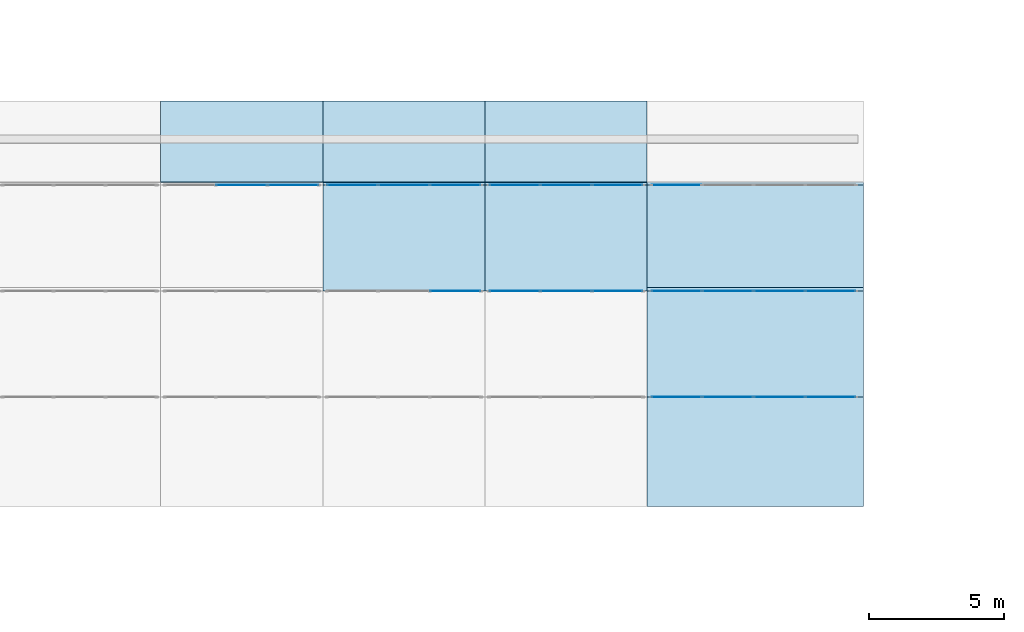
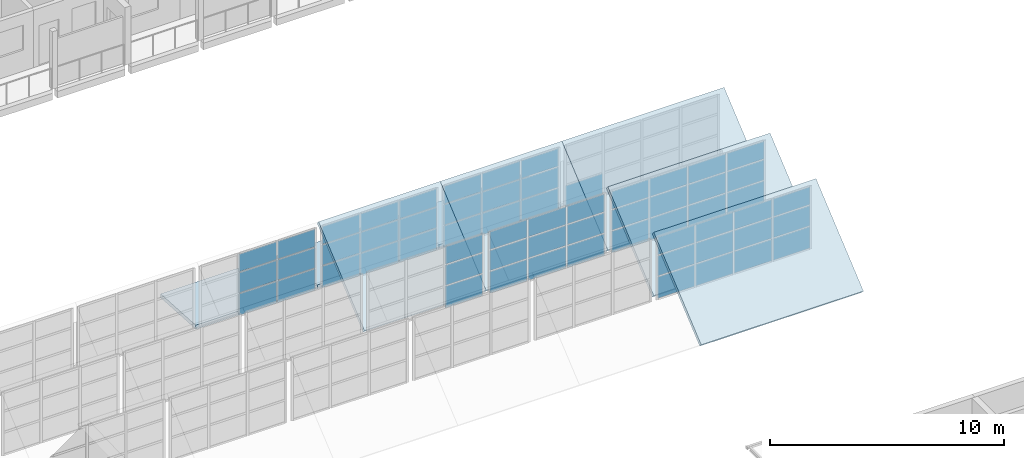
# One storey, part 50 of 122: 61 plates, 8 slabs, 8 elements without a shape of their own.
"""IFC4 building model written with IfcOpenShell, lengths in metres."""

import ifcopenshell
import ifcopenshell.guid

model = None  # the IFC model being written
_history = None  # IfcOwnerHistory: only IFC2X3 demands one
_inside = {}  # id of a spatial element -> (the spatial element, [elements in it])
_under = {}  # id of a project, library or spatial element -> (it, [spatial elements below it])
_declared = {}  # id of a project -> (the project, [libraries it declares])
_typed = {}  # id of a type object -> (the type object, [elements of that type])
_made_of = {}  # id of a material, layer set ... -> (it, [elements and type objects made of it])


def new_model(schema):
    """Start an empty IFC model of exactly this schema.

    Asked for "IFC4X3", IfcOpenShell would pick the latest addendum, in which some entities
    have other attributes; the version numbers below select the first issue.
    IFC2X3 requires an IfcOwnerHistory on every rooted entity: one is made here for all.
    """
    global model, _history
    if schema == "IFC4X3":
        model = ifcopenshell.file(schema_version=(4, 3, 0, 0))
    else:
        model = ifcopenshell.file(schema=schema)
    _inside.clear()
    _under.clear()
    _declared.clear()
    _typed.clear()
    _made_of.clear()
    _history = None
    if model.schema == "IFC2X3":
        org = make("IfcOrganization", Name="unknown")
        user = make(
            "IfcPersonAndOrganization",
            ThePerson=make("IfcPerson", FamilyName="unknown"),
            TheOrganization=org,
        )
        app = make(
            "IfcApplication",
            ApplicationDeveloper=org,
            Version="unknown",
            ApplicationFullName="unknown",
            ApplicationIdentifier="unknown",
        )
        _history = make(
            "IfcOwnerHistory",
            OwningUser=user,
            OwningApplication=app,
            ChangeAction="ADDED",
            CreationDate=0,
        )
    return model


def make(cls, **values):
    """One entity of the class cls with the attributes given. An attribute that is None is left unset."""
    return model.create_entity(
        cls, **{name: value for name, value in values.items() if value is not None}
    )


def rooted(cls, **values):
    """An entity with a GlobalId (a new one), such as an element, a storey or a relation."""
    return make(cls, GlobalId=ifcopenshell.guid.new(), OwnerHistory=_history, **values)


def si_unit(unit_type, name, prefix=None):
    """IfcSIUnit, for example si_unit("LENGTHUNIT", "METRE", prefix="MILLI")."""
    return make("IfcSIUnit", UnitType=unit_type, Prefix=prefix, Name=name)


def assignment(units):
    """IfcUnitAssignment: the units of a project."""
    return None if units is None else make("IfcUnitAssignment", Units=units)


def point(xyz):
    """IfcCartesianPoint."""
    return None if xyz is None else make("IfcCartesianPoint", Coordinates=xyz)


def direction(xyz):
    """IfcDirection."""
    return None if xyz is None else make("IfcDirection", DirectionRatios=xyz)


def frame(location, z_axis=None, x_axis=None):
    """IfcAxis2Placement3D, a coordinate frame: its origin and axes. An axis left out is left unset."""
    return make(
        "IfcAxis2Placement3D",
        Location=point(location),
        Axis=direction(z_axis),
        RefDirection=direction(x_axis),
    )


def frame_2d(location, x_axis=None):
    """IfcAxis2Placement2D, a coordinate frame in the plane: its origin and x axis."""
    return make(
        "IfcAxis2Placement2D", Location=point(location), RefDirection=direction(x_axis)
    )


def origin():
    """The frame at (0, 0, 0) with its axes left unset."""
    return frame((0.0, 0.0, 0.0))


def origin_2d():
    """The frame at (0, 0) in the plane with its x axis left unset."""
    return frame_2d((0.0, 0.0))


def place(relative_to, where):
    """IfcLocalPlacement: puts the frame where relative to a parent placement (None: the world)."""
    return make(
        "IfcLocalPlacement", PlacementRelTo=relative_to, RelativePlacement=where
    )


def context(
    kind, dimensions, precision=None, world=None, true_north=None, identifier=None
):
    """IfcGeometricRepresentationContext, for example the 3D "Model" context."""
    return make(
        "IfcGeometricRepresentationContext",
        ContextIdentifier=identifier,
        ContextType=kind,
        CoordinateSpaceDimension=dimensions,
        Precision=precision,
        WorldCoordinateSystem=world,
        TrueNorth=true_north,
    )


def subcontext(parent, identifier, kind, view, scale=None):
    """IfcGeometricRepresentationSubContext, for example "Body" below "Model"."""
    return make(
        "IfcGeometricRepresentationSubContext",
        ContextIdentifier=identifier,
        ContextType=kind,
        ParentContext=parent,
        TargetScale=scale,
        TargetView=view,
    )


def project(units=None, contexts=None):
    """IfcProject with its units and contexts."""
    return rooted(
        "IfcProject",
        Name="project",
        RepresentationContexts=contexts,
        UnitsInContext=assignment(units),
    )


def spatial(cls, under=None, at=None, **own):
    """A site, building, storey or space (cls), placed at a placement, below another one or the project."""
    s = rooted(cls, ObjectPlacement=at, **own)
    if under is not None:
        _under.setdefault(under.id(), (under, []))[1].append(s)
    return s


def polyline(points):
    """IfcPolyline through the points."""
    return make("IfcPolyline", Points=[point(p) for p in points])


def profile(cls, at=None, kind="AREA", **sizes):
    """A parametric profile (cls). Its sizes go by their IFC names, for example OverallWidth=200.0."""
    return make(cls, ProfileType=kind, Position=at, **sizes)


def rectangle(**sizes):
    """IfcRectangleProfileDef."""
    return profile("IfcRectangleProfileDef", **sizes)


def outline(outer, holes=None, kind="AREA"):
    """IfcArbitraryClosedProfileDef: a profile drawn as a closed curve; with holes, ...WithVoids."""
    if holes is None:
        return make("IfcArbitraryClosedProfileDef", ProfileType=kind, OuterCurve=outer)
    return make(
        "IfcArbitraryProfileDefWithVoids",
        ProfileType=kind,
        OuterCurve=outer,
        InnerCurves=holes,
    )


def extrude(swept, where, along, depth):
    """IfcExtrudedAreaSolid: the profile swept, set in the frame where, extruded along a direction by depth."""
    return make(
        "IfcExtrudedAreaSolid",
        SweptArea=swept,
        Position=where,
        ExtrudedDirection=direction(along),
        Depth=depth,
    )


def shape(context_of_items, identifier, shape_type, items):
    """IfcShapeRepresentation: the items that make up one representation, for example the "Body"."""
    return make(
        "IfcShapeRepresentation",
        ContextOfItems=context_of_items,
        RepresentationIdentifier=identifier,
        RepresentationType=shape_type,
        Items=items,
    )


def material(Name=None, Category=None):
    """IfcMaterial."""
    return make("IfcMaterial", Name=Name, Category=Category)


def layer(
    of_material, thickness, ventilated=None, Name=None, Category=None, Priority=None
):
    """IfcMaterialLayer: one layer of a wall or slab, of a material (None: an air gap)."""
    return make(
        "IfcMaterialLayer",
        Material=of_material,
        LayerThickness=thickness,
        IsVentilated=ventilated,
        Name=Name,
        Category=Category,
        Priority=Priority,
    )


def layer_set(layers, Name=None):
    """IfcMaterialLayerSet."""
    return make("IfcMaterialLayerSet", MaterialLayers=layers, LayerSetName=Name)


def made_of(thing, what):
    """Note that an element or type object is made of a material, layer set ...; save() writes the relation."""
    if what is not None:
        _made_of.setdefault(what.id(), (what, []))[1].append(thing)
    return thing


def type_object(cls, material=None, **own):
    """A type object (cls), such as IfcWallType, which elements share."""
    return made_of(rooted(cls, **own), material)


def element(
    cls,
    number,
    at=None,
    inside=None,
    cuts=None,
    type_object=None,
    material=None,
    context=None,
    identifier="Body",
    shape_type=None,
    held_by="IfcProductDefinitionShape",
    body=None,
    shapes=None,
    **own,
):
    """One element of the class cls, such as IfcWall. Its Tag is "e" and its number.

    at: its placement. inside: the storey or other place that contains it. cuts: it is an
    opening in that element (IfcRelVoidsElement). A single representation is given by context,
    identifier, shape_type and body (its items); several are given by shapes. held_by: the class
    of the entity that holds the representations. save() writes the other relations.
    """
    e = rooted(cls, Tag="e%d" % number, ObjectPlacement=at, **own)
    if body is not None:
        shapes = [shape(context, identifier, shape_type, body)]
    if shapes is not None:
        e.Representation = make(held_by, Representations=shapes)
    if inside is not None:
        _inside.setdefault(inside.id(), (inside, []))[1].append(e)
    if cuts is not None:
        rooted(
            "IfcRelVoidsElement", RelatingBuildingElement=cuts, RelatedOpeningElement=e
        )
    if type_object is not None:
        _typed.setdefault(type_object.id(), (type_object, []))[1].append(e)
    return made_of(e, material)


def aggregate(whole, parts):
    """IfcRelAggregates: a whole, such as a stair, and the parts it consists of."""
    return rooted("IfcRelAggregates", RelatingObject=whole, RelatedObjects=parts)


def save(model, path):
    """Write the relations noted so far, then the file.

    IfcRelAggregates (storeys below a building ...), IfcRelContainedInSpatialStructure (elements
    in a storey), IfcRelDefinesByType, IfcRelAssociatesMaterial and IfcRelDeclares: one each for
    every whole, place, type object, material and project.
    """
    for whole, parts in _under.values():
        aggregate(whole, parts)
    for where, things in _inside.values():
        rooted(
            "IfcRelContainedInSpatialStructure",
            RelatedElements=things,
            RelatingStructure=where,
        )
    for kind, things in _typed.values():
        rooted("IfcRelDefinesByType", RelatedObjects=things, RelatingType=kind)
    for what, things in _made_of.values():
        rooted("IfcRelAssociatesMaterial", RelatedObjects=things, RelatingMaterial=what)
    for by, libraries in _declared.values():
        rooted("IfcRelDeclares", RelatingContext=by, RelatedDefinitions=libraries)
    model.write(path)


model = new_model("IFC4")

# Units and contexts
model_context = context("Model", 3, precision=1e-05, world=origin(), true_north=direction((0.0, 1.0)))
body_context = subcontext(model_context, "Body", "Model", "MODEL_VIEW")
ifc_project = project(units=[si_unit("LENGTHUNIT", "METRE"), si_unit("AREAUNIT", "SQUARE_METRE"), si_unit("VOLUMEUNIT", "CUBIC_METRE"), si_unit("PLANEANGLEUNIT", "RADIAN"), si_unit("MASSUNIT", "GRAM", prefix="KILO")], contexts=[model_context])

# Site, building, storey
site_placement = place(None, origin())
site = spatial("IfcSite", under=ifc_project, at=site_placement, CompositionType="ELEMENT")
building_placement = place(site_placement, origin())
building = spatial("IfcBuilding", under=site, at=building_placement, Name="Ridgestep Commons", CompositionType="ELEMENT")
storey_placement = place(building_placement, frame((0.0, 0.0, 3.0)))
storey = spatial("IfcBuildingStorey", under=building, at=storey_placement, Name="L01", CompositionType="ELEMENT", Elevation=3.0)

# Curtain wall, plates
ifc_material_1 = material(Name="Aluminium and glass", Category="aluminium")
ifc_layer_1 = layer(ifc_material_1, 0.14990234375)
ifc_layer_set_1 = layer_set([ifc_layer_1], Name="Shop clerestory curtain wall")
curtain_wall_type = type_object("IfcCurtainWallType", Name="Shop clerestory curtain wall", PredefinedType="NOTDEFINED", material=ifc_layer_set_1)
curtain_wall_1_placement = place(storey_placement, origin())
curtain_wall_1 = element("IfcCurtainWall", 1, at=curtain_wall_1_placement, inside=storey, type_object=curtain_wall_type, Name="Shop clerestory curtain wall", PredefinedType="NOTDEFINED")
ifc_material_2 = material(Name="Glass", Category="glass")
ifc_layer_2 = layer(ifc_material_2, 0.011962890625)
ifc_layer_set_2 = layer_set([ifc_layer_2], Name="Community glass panel 12")
plate_type = type_object("IfcPlateType", Name="Community glass panel 12", PredefinedType="CURTAIN_PANEL", material=ifc_layer_set_2)
plate_1_placement = place(storey_placement, frame((208.800048828125, 45.89990234375, 1.25), z_axis=(0.0, 0.0, 1.0), x_axis=(1.0, 0.0, 0.0)))
plate_1 = element("IfcPlate", 2, at=plate_1_placement, type_object=plate_type, Name="CW5 panel 2.1", PredefinedType="CURTAIN_PANEL", context=body_context, shape_type="SweptSolid", body=[
    extrude(rectangle(XDim=1.86669921875, YDim=0.011962890625, at=origin_2d()), origin(), (0.0, 0.0, 1.0), 1.125),
])
plate_2_placement = place(storey_placement, frame((208.800048828125, 45.89990234375, 2.4248046875), z_axis=(0.0, 0.0, 1.0), x_axis=(1.0, 0.0, 0.0)))
plate_2 = element("IfcPlate", 3, at=plate_2_placement, type_object=plate_type, Name="CW5 panel 2.2", PredefinedType="CURTAIN_PANEL", context=body_context, shape_type="SweptSolid", body=[
    extrude(rectangle(XDim=1.86669921875, YDim=0.011962890625, at=origin_2d()), origin(), (0.0, 0.0, 1.0), 1.050048828125),
])
plate_3_placement = place(storey_placement, frame((208.800048828125, 45.89990234375, 3.52490234375), z_axis=(0.0, 0.0, 1.0), x_axis=(1.0, 0.0, 0.0)))
plate_3 = element("IfcPlate", 4, at=plate_3_placement, type_object=plate_type, Name="CW5 panel 2.3", PredefinedType="CURTAIN_PANEL", context=body_context, shape_type="SweptSolid", body=[
    extrude(rectangle(XDim=1.86669921875, YDim=0.011962890625, at=origin_2d()), origin(), (0.0, 0.0, 1.0), 0.925048828125),
])
plate_4_placement = place(storey_placement, frame((210.7041015625, 45.89990234375, 1.25), z_axis=(0.0, 0.0, 1.0), x_axis=(1.0, 0.0, 0.0)))
plate_4 = element("IfcPlate", 5, at=plate_4_placement, type_object=plate_type, Name="CW5 panel 3.1", PredefinedType="CURTAIN_PANEL", context=body_context, shape_type="SweptSolid", body=[
    extrude(rectangle(XDim=1.841552734375, YDim=0.011962890625, at=origin_2d()), origin(), (0.0, 0.0, 1.0), 1.125),
])
plate_5_placement = place(storey_placement, frame((210.7041015625, 45.89990234375, 2.4248046875), z_axis=(0.0, 0.0, 1.0), x_axis=(1.0, 0.0, 0.0)))
plate_5 = element("IfcPlate", 6, at=plate_5_placement, type_object=plate_type, Name="CW5 panel 3.2", PredefinedType="CURTAIN_PANEL", context=body_context, shape_type="SweptSolid", body=[
    extrude(rectangle(XDim=1.841552734375, YDim=0.011962890625, at=origin_2d()), origin(), (0.0, 0.0, 1.0), 1.050048828125),
])
plate_6_placement = place(storey_placement, frame((210.7041015625, 45.89990234375, 3.52490234375), z_axis=(0.0, 0.0, 1.0), x_axis=(1.0, 0.0, 0.0)))
plate_6 = element("IfcPlate", 7, at=plate_6_placement, type_object=plate_type, Name="CW5 panel 3.3", PredefinedType="CURTAIN_PANEL", context=body_context, shape_type="SweptSolid", body=[
    extrude(rectangle(XDim=1.841552734375, YDim=0.011962890625, at=origin_2d()), origin(), (0.0, 0.0, 1.0), 0.925048828125),
])
aggregate(curtain_wall_1, [plate_1, plate_2, plate_3, plate_4, plate_5, plate_6])

curtain_wall_2_placement = place(storey_placement, origin())
curtain_wall_2 = element("IfcCurtainWall", 8, at=curtain_wall_2_placement, inside=storey, type_object=curtain_wall_type, Name="Shop clerestory curtain wall", PredefinedType="NOTDEFINED")
plate_7_placement = place(storey_placement, frame((216.7041015625, 41.97509765625, 1.25), z_axis=(0.0, 0.0, 1.0), x_axis=(1.0, 0.0, 0.0)))
plate_7 = element("IfcPlate", 9, at=plate_7_placement, type_object=plate_type, Name="CW5 panel 3.1", PredefinedType="CURTAIN_PANEL", context=body_context, shape_type="SweptSolid", body=[
    extrude(rectangle(XDim=1.841552734375, YDim=0.011962890625, at=origin_2d()), origin(), (0.0, 0.0, 1.0), 1.125),
])
plate_8_placement = place(storey_placement, frame((216.7041015625, 41.97509765625, 2.4248046875), z_axis=(0.0, 0.0, 1.0), x_axis=(1.0, 0.0, 0.0)))
plate_8 = element("IfcPlate", 10, at=plate_8_placement, type_object=plate_type, Name="CW5 panel 3.2", PredefinedType="CURTAIN_PANEL", context=body_context, shape_type="SweptSolid", body=[
    extrude(rectangle(XDim=1.841552734375, YDim=0.011962890625, at=origin_2d()), origin(), (0.0, 0.0, 1.0), 1.050048828125),
])
plate_9_placement = place(storey_placement, frame((216.7041015625, 41.97509765625, 3.52490234375), z_axis=(0.0, 0.0, 1.0), x_axis=(1.0, 0.0, 0.0)))
plate_9 = element("IfcPlate", 11, at=plate_9_placement, type_object=plate_type, Name="CW5 panel 3.3", PredefinedType="CURTAIN_PANEL", context=body_context, shape_type="SweptSolid", body=[
    extrude(rectangle(XDim=1.841552734375, YDim=0.011962890625, at=origin_2d()), origin(), (0.0, 0.0, 1.0), 0.925048828125),
])
aggregate(curtain_wall_2, [plate_7, plate_8, plate_9])

curtain_wall_3_placement = place(storey_placement, origin())
curtain_wall_3 = element("IfcCurtainWall", 12, at=curtain_wall_3_placement, inside=storey, type_object=curtain_wall_type, Name="Shop clerestory curtain wall", PredefinedType="NOTDEFINED")
plate_10_placement = place(storey_placement, frame((212.895751953125, 45.89990234375, 1.25), z_axis=(0.0, 0.0, 1.0), x_axis=(1.0, 0.0, 0.0)))
plate_10 = element("IfcPlate", 13, at=plate_10_placement, type_object=plate_type, Name="CW5 panel 1.1", PredefinedType="CURTAIN_PANEL", context=body_context, shape_type="SweptSolid", body=[
    extrude(rectangle(XDim=1.841552734375, YDim=0.011962890625, at=origin_2d()), origin(), (0.0, 0.0, 1.0), 1.125),
])
plate_11_placement = place(storey_placement, frame((212.895751953125, 45.89990234375, 2.4248046875), z_axis=(0.0, 0.0, 1.0), x_axis=(1.0, 0.0, 0.0)))
plate_11 = element("IfcPlate", 14, at=plate_11_placement, type_object=plate_type, Name="CW5 panel 1.2", PredefinedType="CURTAIN_PANEL", context=body_context, shape_type="SweptSolid", body=[
    extrude(rectangle(XDim=1.841552734375, YDim=0.011962890625, at=origin_2d()), origin(), (0.0, 0.0, 1.0), 1.050048828125),
])
plate_12_placement = place(storey_placement, frame((212.895751953125, 45.89990234375, 3.52490234375), z_axis=(0.0, 0.0, 1.0), x_axis=(1.0, 0.0, 0.0)))
plate_12 = element("IfcPlate", 15, at=plate_12_placement, type_object=plate_type, Name="CW5 panel 1.3", PredefinedType="CURTAIN_PANEL", context=body_context, shape_type="SweptSolid", body=[
    extrude(rectangle(XDim=1.841552734375, YDim=0.011962890625, at=origin_2d()), origin(), (0.0, 0.0, 1.0), 0.925048828125),
])
plate_13_placement = place(storey_placement, frame((214.800048828125, 45.89990234375, 1.25), z_axis=(0.0, 0.0, 1.0), x_axis=(1.0, 0.0, 0.0)))
plate_13 = element("IfcPlate", 16, at=plate_13_placement, type_object=plate_type, Name="CW5 panel 2.1", PredefinedType="CURTAIN_PANEL", context=body_context, shape_type="SweptSolid", body=[
    extrude(rectangle(XDim=1.86669921875, YDim=0.011962890625, at=origin_2d()), origin(), (0.0, 0.0, 1.0), 1.125),
])
plate_14_placement = place(storey_placement, frame((214.800048828125, 45.89990234375, 2.4248046875), z_axis=(0.0, 0.0, 1.0), x_axis=(1.0, 0.0, 0.0)))
plate_14 = element("IfcPlate", 17, at=plate_14_placement, type_object=plate_type, Name="CW5 panel 2.2", PredefinedType="CURTAIN_PANEL", context=body_context, shape_type="SweptSolid", body=[
    extrude(rectangle(XDim=1.86669921875, YDim=0.011962890625, at=origin_2d()), origin(), (0.0, 0.0, 1.0), 1.050048828125),
])
plate_15_placement = place(storey_placement, frame((214.800048828125, 45.89990234375, 3.52490234375), z_axis=(0.0, 0.0, 1.0), x_axis=(1.0, 0.0, 0.0)))
plate_15 = element("IfcPlate", 18, at=plate_15_placement, type_object=plate_type, Name="CW5 panel 2.3", PredefinedType="CURTAIN_PANEL", context=body_context, shape_type="SweptSolid", body=[
    extrude(rectangle(XDim=1.86669921875, YDim=0.011962890625, at=origin_2d()), origin(), (0.0, 0.0, 1.0), 0.925048828125),
])
plate_16_placement = place(storey_placement, frame((216.7041015625, 45.89990234375, 1.25), z_axis=(0.0, 0.0, 1.0), x_axis=(1.0, 0.0, 0.0)))
plate_16 = element("IfcPlate", 19, at=plate_16_placement, type_object=plate_type, Name="CW5 panel 3.1", PredefinedType="CURTAIN_PANEL", context=body_context, shape_type="SweptSolid", body=[
    extrude(rectangle(XDim=1.841552734375, YDim=0.011962890625, at=origin_2d()), origin(), (0.0, 0.0, 1.0), 1.125),
])
plate_17_placement = place(storey_placement, frame((216.7041015625, 45.89990234375, 2.4248046875), z_axis=(0.0, 0.0, 1.0), x_axis=(1.0, 0.0, 0.0)))
plate_17 = element("IfcPlate", 20, at=plate_17_placement, type_object=plate_type, Name="CW5 panel 3.2", PredefinedType="CURTAIN_PANEL", context=body_context, shape_type="SweptSolid", body=[
    extrude(rectangle(XDim=1.841552734375, YDim=0.011962890625, at=origin_2d()), origin(), (0.0, 0.0, 1.0), 1.050048828125),
])
plate_18_placement = place(storey_placement, frame((216.7041015625, 45.89990234375, 3.52490234375), z_axis=(0.0, 0.0, 1.0), x_axis=(1.0, 0.0, 0.0)))
plate_18 = element("IfcPlate", 21, at=plate_18_placement, type_object=plate_type, Name="CW5 panel 3.3", PredefinedType="CURTAIN_PANEL", context=body_context, shape_type="SweptSolid", body=[
    extrude(rectangle(XDim=1.841552734375, YDim=0.011962890625, at=origin_2d()), origin(), (0.0, 0.0, 1.0), 0.925048828125),
])
aggregate(curtain_wall_3, [plate_10, plate_11, plate_12, plate_13, plate_14, plate_15, plate_16, plate_17, plate_18])

curtain_wall_4_placement = place(storey_placement, origin())
curtain_wall_4 = element("IfcCurtainWall", 22, at=curtain_wall_4_placement, inside=storey, type_object=curtain_wall_type, Name="Shop clerestory curtain wall", PredefinedType="NOTDEFINED")
plate_19_placement = place(storey_placement, frame((218.895751953125, 41.97509765625, 1.25), z_axis=(0.0, 0.0, 1.0), x_axis=(1.0, 0.0, 0.0)))
plate_19 = element("IfcPlate", 23, at=plate_19_placement, type_object=plate_type, Name="CW5 panel 1.1", PredefinedType="CURTAIN_PANEL", context=body_context, shape_type="SweptSolid", body=[
    extrude(rectangle(XDim=1.841552734375, YDim=0.011962890625, at=origin_2d()), origin(), (0.0, 0.0, 1.0), 1.125),
])
plate_20_placement = place(storey_placement, frame((218.895751953125, 41.97509765625, 2.4248046875), z_axis=(0.0, 0.0, 1.0), x_axis=(1.0, 0.0, 0.0)))
plate_20 = element("IfcPlate", 24, at=plate_20_placement, type_object=plate_type, Name="CW5 panel 1.2", PredefinedType="CURTAIN_PANEL", context=body_context, shape_type="SweptSolid", body=[
    extrude(rectangle(XDim=1.841552734375, YDim=0.011962890625, at=origin_2d()), origin(), (0.0, 0.0, 1.0), 1.050048828125),
])
plate_21_placement = place(storey_placement, frame((218.895751953125, 41.97509765625, 3.52490234375), z_axis=(0.0, 0.0, 1.0), x_axis=(1.0, 0.0, 0.0)))
plate_21 = element("IfcPlate", 25, at=plate_21_placement, type_object=plate_type, Name="CW5 panel 1.3", PredefinedType="CURTAIN_PANEL", context=body_context, shape_type="SweptSolid", body=[
    extrude(rectangle(XDim=1.841552734375, YDim=0.011962890625, at=origin_2d()), origin(), (0.0, 0.0, 1.0), 0.925048828125),
])
plate_22_placement = place(storey_placement, frame((220.800048828125, 41.97509765625, 1.25), z_axis=(0.0, 0.0, 1.0), x_axis=(1.0, 0.0, 0.0)))
plate_22 = element("IfcPlate", 26, at=plate_22_placement, type_object=plate_type, Name="CW5 panel 2.1", PredefinedType="CURTAIN_PANEL", context=body_context, shape_type="SweptSolid", body=[
    extrude(rectangle(XDim=1.86669921875, YDim=0.011962890625, at=origin_2d()), origin(), (0.0, 0.0, 1.0), 1.125),
])
plate_23_placement = place(storey_placement, frame((220.800048828125, 41.97509765625, 2.4248046875), z_axis=(0.0, 0.0, 1.0), x_axis=(1.0, 0.0, 0.0)))
plate_23 = element("IfcPlate", 27, at=plate_23_placement, type_object=plate_type, Name="CW5 panel 2.2", PredefinedType="CURTAIN_PANEL", context=body_context, shape_type="SweptSolid", body=[
    extrude(rectangle(XDim=1.86669921875, YDim=0.011962890625, at=origin_2d()), origin(), (0.0, 0.0, 1.0), 1.050048828125),
])
plate_24_placement = place(storey_placement, frame((220.800048828125, 41.97509765625, 3.52490234375), z_axis=(0.0, 0.0, 1.0), x_axis=(1.0, 0.0, 0.0)))
plate_24 = element("IfcPlate", 28, at=plate_24_placement, type_object=plate_type, Name="CW5 panel 2.3", PredefinedType="CURTAIN_PANEL", context=body_context, shape_type="SweptSolid", body=[
    extrude(rectangle(XDim=1.86669921875, YDim=0.011962890625, at=origin_2d()), origin(), (0.0, 0.0, 1.0), 0.925048828125),
])
plate_25_placement = place(storey_placement, frame((222.7041015625, 41.97509765625, 1.25), z_axis=(0.0, 0.0, 1.0), x_axis=(1.0, 0.0, 0.0)))
plate_25 = element("IfcPlate", 29, at=plate_25_placement, type_object=plate_type, Name="CW5 panel 3.1", PredefinedType="CURTAIN_PANEL", context=body_context, shape_type="SweptSolid", body=[
    extrude(rectangle(XDim=1.841552734375, YDim=0.011962890625, at=origin_2d()), origin(), (0.0, 0.0, 1.0), 1.125),
])
plate_26_placement = place(storey_placement, frame((222.7041015625, 41.97509765625, 2.4248046875), z_axis=(0.0, 0.0, 1.0), x_axis=(1.0, 0.0, 0.0)))
plate_26 = element("IfcPlate", 30, at=plate_26_placement, type_object=plate_type, Name="CW5 panel 3.2", PredefinedType="CURTAIN_PANEL", context=body_context, shape_type="SweptSolid", body=[
    extrude(rectangle(XDim=1.841552734375, YDim=0.011962890625, at=origin_2d()), origin(), (0.0, 0.0, 1.0), 1.050048828125),
])
plate_27_placement = place(storey_placement, frame((222.7041015625, 41.97509765625, 3.52490234375), z_axis=(0.0, 0.0, 1.0), x_axis=(1.0, 0.0, 0.0)))
plate_27 = element("IfcPlate", 31, at=plate_27_placement, type_object=plate_type, Name="CW5 panel 3.3", PredefinedType="CURTAIN_PANEL", context=body_context, shape_type="SweptSolid", body=[
    extrude(rectangle(XDim=1.841552734375, YDim=0.011962890625, at=origin_2d()), origin(), (0.0, 0.0, 1.0), 0.925048828125),
])
aggregate(curtain_wall_4, [plate_19, plate_20, plate_21, plate_22, plate_23, plate_24, plate_25, plate_26, plate_27])

curtain_wall_5_placement = place(storey_placement, origin())
curtain_wall_5 = element("IfcCurtainWall", 32, at=curtain_wall_5_placement, inside=storey, type_object=curtain_wall_type, Name="Shop clerestory curtain wall", PredefinedType="NOTDEFINED")
plate_28_placement = place(storey_placement, frame((218.895751953125, 45.89990234375, 1.25), z_axis=(0.0, 0.0, 1.0), x_axis=(1.0, 0.0, 0.0)))
plate_28 = element("IfcPlate", 33, at=plate_28_placement, type_object=plate_type, Name="CW5 panel 1.1", PredefinedType="CURTAIN_PANEL", context=body_context, shape_type="SweptSolid", body=[
    extrude(rectangle(XDim=1.841552734375, YDim=0.011962890625, at=origin_2d()), origin(), (0.0, 0.0, 1.0), 1.125),
])
plate_29_placement = place(storey_placement, frame((218.895751953125, 45.89990234375, 2.4248046875), z_axis=(0.0, 0.0, 1.0), x_axis=(1.0, 0.0, 0.0)))
plate_29 = element("IfcPlate", 34, at=plate_29_placement, type_object=plate_type, Name="CW5 panel 1.2", PredefinedType="CURTAIN_PANEL", context=body_context, shape_type="SweptSolid", body=[
    extrude(rectangle(XDim=1.841552734375, YDim=0.011962890625, at=origin_2d()), origin(), (0.0, 0.0, 1.0), 1.050048828125),
])
plate_30_placement = place(storey_placement, frame((218.895751953125, 45.89990234375, 3.52490234375), z_axis=(0.0, 0.0, 1.0), x_axis=(1.0, 0.0, 0.0)))
plate_30 = element("IfcPlate", 35, at=plate_30_placement, type_object=plate_type, Name="CW5 panel 1.3", PredefinedType="CURTAIN_PANEL", context=body_context, shape_type="SweptSolid", body=[
    extrude(rectangle(XDim=1.841552734375, YDim=0.011962890625, at=origin_2d()), origin(), (0.0, 0.0, 1.0), 0.925048828125),
])
plate_31_placement = place(storey_placement, frame((220.800048828125, 45.89990234375, 1.25), z_axis=(0.0, 0.0, 1.0), x_axis=(1.0, 0.0, 0.0)))
plate_31 = element("IfcPlate", 36, at=plate_31_placement, type_object=plate_type, Name="CW5 panel 2.1", PredefinedType="CURTAIN_PANEL", context=body_context, shape_type="SweptSolid", body=[
    extrude(rectangle(XDim=1.86669921875, YDim=0.011962890625, at=origin_2d()), origin(), (0.0, 0.0, 1.0), 1.125),
])
plate_32_placement = place(storey_placement, frame((220.800048828125, 45.89990234375, 2.4248046875), z_axis=(0.0, 0.0, 1.0), x_axis=(1.0, 0.0, 0.0)))
plate_32 = element("IfcPlate", 37, at=plate_32_placement, type_object=plate_type, Name="CW5 panel 2.2", PredefinedType="CURTAIN_PANEL", context=body_context, shape_type="SweptSolid", body=[
    extrude(rectangle(XDim=1.86669921875, YDim=0.011962890625, at=origin_2d()), origin(), (0.0, 0.0, 1.0), 1.050048828125),
])
plate_33_placement = place(storey_placement, frame((220.800048828125, 45.89990234375, 3.52490234375), z_axis=(0.0, 0.0, 1.0), x_axis=(1.0, 0.0, 0.0)))
plate_33 = element("IfcPlate", 38, at=plate_33_placement, type_object=plate_type, Name="CW5 panel 2.3", PredefinedType="CURTAIN_PANEL", context=body_context, shape_type="SweptSolid", body=[
    extrude(rectangle(XDim=1.86669921875, YDim=0.011962890625, at=origin_2d()), origin(), (0.0, 0.0, 1.0), 0.925048828125),
])
plate_34_placement = place(storey_placement, frame((222.7041015625, 45.89990234375, 1.25), z_axis=(0.0, 0.0, 1.0), x_axis=(1.0, 0.0, 0.0)))
plate_34 = element("IfcPlate", 39, at=plate_34_placement, type_object=plate_type, Name="CW5 panel 3.1", PredefinedType="CURTAIN_PANEL", context=body_context, shape_type="SweptSolid", body=[
    extrude(rectangle(XDim=1.841552734375, YDim=0.011962890625, at=origin_2d()), origin(), (0.0, 0.0, 1.0), 1.125),
])
plate_35_placement = place(storey_placement, frame((222.7041015625, 45.89990234375, 2.4248046875), z_axis=(0.0, 0.0, 1.0), x_axis=(1.0, 0.0, 0.0)))
plate_35 = element("IfcPlate", 40, at=plate_35_placement, type_object=plate_type, Name="CW5 panel 3.2", PredefinedType="CURTAIN_PANEL", context=body_context, shape_type="SweptSolid", body=[
    extrude(rectangle(XDim=1.841552734375, YDim=0.011962890625, at=origin_2d()), origin(), (0.0, 0.0, 1.0), 1.050048828125),
])
plate_36_placement = place(storey_placement, frame((222.7041015625, 45.89990234375, 3.52490234375), z_axis=(0.0, 0.0, 1.0), x_axis=(1.0, 0.0, 0.0)))
plate_36 = element("IfcPlate", 41, at=plate_36_placement, type_object=plate_type, Name="CW5 panel 3.3", PredefinedType="CURTAIN_PANEL", context=body_context, shape_type="SweptSolid", body=[
    extrude(rectangle(XDim=1.841552734375, YDim=0.011962890625, at=origin_2d()), origin(), (0.0, 0.0, 1.0), 0.925048828125),
])
aggregate(curtain_wall_5, [plate_28, plate_29, plate_30, plate_31, plate_32, plate_33, plate_34, plate_35, plate_36])

curtain_wall_6_placement = place(storey_placement, origin())
curtain_wall_6 = element("IfcCurtainWall", 42, at=curtain_wall_6_placement, inside=storey, type_object=curtain_wall_type, Name="Shop clerestory curtain wall", PredefinedType="NOTDEFINED")
plate_37_placement = place(storey_placement, frame((224.890625, 38.050048828125, 1.25), z_axis=(0.0, 0.0, 1.0), x_axis=(1.0, 0.0, 0.0)))
plate_37 = element("IfcPlate", 43, at=plate_37_placement, type_object=plate_type, Name="CW5 panel 1.1", PredefinedType="CURTAIN_PANEL", context=body_context, shape_type="SweptSolid", body=[
    extrude(rectangle(XDim=1.831298828125, YDim=0.011962890625, at=origin_2d()), origin(), (0.0, 0.0, 1.0), 1.125),
])
plate_38_placement = place(storey_placement, frame((224.890625, 38.050048828125, 2.4248046875), z_axis=(0.0, 0.0, 1.0), x_axis=(1.0, 0.0, 0.0)))
plate_38 = element("IfcPlate", 44, at=plate_38_placement, type_object=plate_type, Name="CW5 panel 1.2", PredefinedType="CURTAIN_PANEL", context=body_context, shape_type="SweptSolid", body=[
    extrude(rectangle(XDim=1.831298828125, YDim=0.011962890625, at=origin_2d()), origin(), (0.0, 0.0, 1.0), 1.050048828125),
])
plate_39_placement = place(storey_placement, frame((224.890625, 38.050048828125, 3.52490234375), z_axis=(0.0, 0.0, 1.0), x_axis=(1.0, 0.0, 0.0)))
plate_39 = element("IfcPlate", 45, at=plate_39_placement, type_object=plate_type, Name="CW5 panel 1.3", PredefinedType="CURTAIN_PANEL", context=body_context, shape_type="SweptSolid", body=[
    extrude(rectangle(XDim=1.831298828125, YDim=0.011962890625, at=origin_2d()), origin(), (0.0, 0.0, 1.0), 0.925048828125),
])
plate_40_placement = place(storey_placement, frame((226.784423828125, 38.050048828125, 1.25), z_axis=(0.0, 0.0, 1.0), x_axis=(1.0, 0.0, 0.0)))
plate_40 = element("IfcPlate", 46, at=plate_40_placement, type_object=plate_type, Name="CW5 panel 2.1", PredefinedType="CURTAIN_PANEL", context=body_context, shape_type="SweptSolid", body=[
    extrude(rectangle(XDim=1.856201171875, YDim=0.011962890625, at=origin_2d()), origin(), (0.0, 0.0, 1.0), 1.125),
])
plate_41_placement = place(storey_placement, frame((226.784423828125, 38.050048828125, 2.4248046875), z_axis=(0.0, 0.0, 1.0), x_axis=(1.0, 0.0, 0.0)))
plate_41 = element("IfcPlate", 47, at=plate_41_placement, type_object=plate_type, Name="CW5 panel 2.2", PredefinedType="CURTAIN_PANEL", context=body_context, shape_type="SweptSolid", body=[
    extrude(rectangle(XDim=1.856201171875, YDim=0.011962890625, at=origin_2d()), origin(), (0.0, 0.0, 1.0), 1.050048828125),
])
plate_42_placement = place(storey_placement, frame((226.784423828125, 38.050048828125, 3.52490234375), z_axis=(0.0, 0.0, 1.0), x_axis=(1.0, 0.0, 0.0)))
plate_42 = element("IfcPlate", 48, at=plate_42_placement, type_object=plate_type, Name="CW5 panel 2.3", PredefinedType="CURTAIN_PANEL", context=body_context, shape_type="SweptSolid", body=[
    extrude(rectangle(XDim=1.856201171875, YDim=0.011962890625, at=origin_2d()), origin(), (0.0, 0.0, 1.0), 0.925048828125),
])
plate_43_placement = place(storey_placement, frame((228.690673828125, 38.050048828125, 1.25), z_axis=(0.0, 0.0, 1.0), x_axis=(1.0, 0.0, 0.0)))
plate_43 = element("IfcPlate", 49, at=plate_43_placement, type_object=plate_type, Name="CW5 panel 3.1", PredefinedType="CURTAIN_PANEL", context=body_context, shape_type="SweptSolid", body=[
    extrude(rectangle(XDim=1.856201171875, YDim=0.011962890625, at=origin_2d()), origin(), (0.0, 0.0, 1.0), 1.125),
])
plate_44_placement = place(storey_placement, frame((228.690673828125, 38.050048828125, 2.4248046875), z_axis=(0.0, 0.0, 1.0), x_axis=(1.0, 0.0, 0.0)))
plate_44 = element("IfcPlate", 50, at=plate_44_placement, type_object=plate_type, Name="CW5 panel 3.2", PredefinedType="CURTAIN_PANEL", context=body_context, shape_type="SweptSolid", body=[
    extrude(rectangle(XDim=1.856201171875, YDim=0.011962890625, at=origin_2d()), origin(), (0.0, 0.0, 1.0), 1.050048828125),
])
plate_45_placement = place(storey_placement, frame((228.690673828125, 38.050048828125, 3.52490234375), z_axis=(0.0, 0.0, 1.0), x_axis=(1.0, 0.0, 0.0)))
plate_45 = element("IfcPlate", 51, at=plate_45_placement, type_object=plate_type, Name="CW5 panel 3.3", PredefinedType="CURTAIN_PANEL", context=body_context, shape_type="SweptSolid", body=[
    extrude(rectangle(XDim=1.856201171875, YDim=0.011962890625, at=origin_2d()), origin(), (0.0, 0.0, 1.0), 0.925048828125),
])
plate_46_placement = place(storey_placement, frame((230.58447265625, 38.050048828125, 1.25), z_axis=(0.0, 0.0, 1.0), x_axis=(1.0, 0.0, 0.0)))
plate_46 = element("IfcPlate", 52, at=plate_46_placement, type_object=plate_type, Name="CW5 panel 4.1", PredefinedType="CURTAIN_PANEL", context=body_context, shape_type="SweptSolid", body=[
    extrude(rectangle(XDim=1.831298828125, YDim=0.011962890625, at=origin_2d()), origin(), (0.0, 0.0, 1.0), 1.125),
])
plate_47_placement = place(storey_placement, frame((230.58447265625, 38.050048828125, 2.4248046875), z_axis=(0.0, 0.0, 1.0), x_axis=(1.0, 0.0, 0.0)))
plate_47 = element("IfcPlate", 53, at=plate_47_placement, type_object=plate_type, Name="CW5 panel 4.2", PredefinedType="CURTAIN_PANEL", context=body_context, shape_type="SweptSolid", body=[
    extrude(rectangle(XDim=1.831298828125, YDim=0.011962890625, at=origin_2d()), origin(), (0.0, 0.0, 1.0), 1.050048828125),
])
plate_48_placement = place(storey_placement, frame((230.58447265625, 38.050048828125, 3.52490234375), z_axis=(0.0, 0.0, 1.0), x_axis=(1.0, 0.0, 0.0)))
plate_48 = element("IfcPlate", 54, at=plate_48_placement, type_object=plate_type, Name="CW5 panel 4.3", PredefinedType="CURTAIN_PANEL", context=body_context, shape_type="SweptSolid", body=[
    extrude(rectangle(XDim=1.831298828125, YDim=0.011962890625, at=origin_2d()), origin(), (0.0, 0.0, 1.0), 0.925048828125),
])
aggregate(curtain_wall_6, [plate_37, plate_38, plate_39, plate_40, plate_41, plate_42, plate_43, plate_44, plate_45, plate_46, plate_47, plate_48])

curtain_wall_7_placement = place(storey_placement, origin())
curtain_wall_7 = element("IfcCurtainWall", 55, at=curtain_wall_7_placement, inside=storey, type_object=curtain_wall_type, Name="Shop clerestory curtain wall", PredefinedType="NOTDEFINED")
plate_49_placement = place(storey_placement, frame((224.890625, 41.97509765625, 1.25), z_axis=(0.0, 0.0, 1.0), x_axis=(1.0, 0.0, 0.0)))
plate_49 = element("IfcPlate", 56, at=plate_49_placement, type_object=plate_type, Name="CW5 panel 1.1", PredefinedType="CURTAIN_PANEL", context=body_context, shape_type="SweptSolid", body=[
    extrude(rectangle(XDim=1.831298828125, YDim=0.011962890625, at=origin_2d()), origin(), (0.0, 0.0, 1.0), 1.125),
])
plate_50_placement = place(storey_placement, frame((224.890625, 41.97509765625, 2.4248046875), z_axis=(0.0, 0.0, 1.0), x_axis=(1.0, 0.0, 0.0)))
plate_50 = element("IfcPlate", 57, at=plate_50_placement, type_object=plate_type, Name="CW5 panel 1.2", PredefinedType="CURTAIN_PANEL", context=body_context, shape_type="SweptSolid", body=[
    extrude(rectangle(XDim=1.831298828125, YDim=0.011962890625, at=origin_2d()), origin(), (0.0, 0.0, 1.0), 1.050048828125),
])
plate_51_placement = place(storey_placement, frame((224.890625, 41.97509765625, 3.52490234375), z_axis=(0.0, 0.0, 1.0), x_axis=(1.0, 0.0, 0.0)))
plate_51 = element("IfcPlate", 58, at=plate_51_placement, type_object=plate_type, Name="CW5 panel 1.3", PredefinedType="CURTAIN_PANEL", context=body_context, shape_type="SweptSolid", body=[
    extrude(rectangle(XDim=1.831298828125, YDim=0.011962890625, at=origin_2d()), origin(), (0.0, 0.0, 1.0), 0.925048828125),
])
plate_52_placement = place(storey_placement, frame((226.784423828125, 41.97509765625, 1.25), z_axis=(0.0, 0.0, 1.0), x_axis=(1.0, 0.0, 0.0)))
plate_52 = element("IfcPlate", 59, at=plate_52_placement, type_object=plate_type, Name="CW5 panel 2.1", PredefinedType="CURTAIN_PANEL", context=body_context, shape_type="SweptSolid", body=[
    extrude(rectangle(XDim=1.856201171875, YDim=0.011962890625, at=origin_2d()), origin(), (0.0, 0.0, 1.0), 1.125),
])
plate_53_placement = place(storey_placement, frame((226.784423828125, 41.97509765625, 2.4248046875), z_axis=(0.0, 0.0, 1.0), x_axis=(1.0, 0.0, 0.0)))
plate_53 = element("IfcPlate", 60, at=plate_53_placement, type_object=plate_type, Name="CW5 panel 2.2", PredefinedType="CURTAIN_PANEL", context=body_context, shape_type="SweptSolid", body=[
    extrude(rectangle(XDim=1.856201171875, YDim=0.011962890625, at=origin_2d()), origin(), (0.0, 0.0, 1.0), 1.050048828125),
])
plate_54_placement = place(storey_placement, frame((226.784423828125, 41.97509765625, 3.52490234375), z_axis=(0.0, 0.0, 1.0), x_axis=(1.0, 0.0, 0.0)))
plate_54 = element("IfcPlate", 61, at=plate_54_placement, type_object=plate_type, Name="CW5 panel 2.3", PredefinedType="CURTAIN_PANEL", context=body_context, shape_type="SweptSolid", body=[
    extrude(rectangle(XDim=1.856201171875, YDim=0.011962890625, at=origin_2d()), origin(), (0.0, 0.0, 1.0), 0.925048828125),
])
plate_55_placement = place(storey_placement, frame((228.690673828125, 41.97509765625, 1.25), z_axis=(0.0, 0.0, 1.0), x_axis=(1.0, 0.0, 0.0)))
plate_55 = element("IfcPlate", 62, at=plate_55_placement, type_object=plate_type, Name="CW5 panel 3.1", PredefinedType="CURTAIN_PANEL", context=body_context, shape_type="SweptSolid", body=[
    extrude(rectangle(XDim=1.856201171875, YDim=0.011962890625, at=origin_2d()), origin(), (0.0, 0.0, 1.0), 1.125),
])
plate_56_placement = place(storey_placement, frame((228.690673828125, 41.97509765625, 2.4248046875), z_axis=(0.0, 0.0, 1.0), x_axis=(1.0, 0.0, 0.0)))
plate_56 = element("IfcPlate", 63, at=plate_56_placement, type_object=plate_type, Name="CW5 panel 3.2", PredefinedType="CURTAIN_PANEL", context=body_context, shape_type="SweptSolid", body=[
    extrude(rectangle(XDim=1.856201171875, YDim=0.011962890625, at=origin_2d()), origin(), (0.0, 0.0, 1.0), 1.050048828125),
])
plate_57_placement = place(storey_placement, frame((228.690673828125, 41.97509765625, 3.52490234375), z_axis=(0.0, 0.0, 1.0), x_axis=(1.0, 0.0, 0.0)))
plate_57 = element("IfcPlate", 64, at=plate_57_placement, type_object=plate_type, Name="CW5 panel 3.3", PredefinedType="CURTAIN_PANEL", context=body_context, shape_type="SweptSolid", body=[
    extrude(rectangle(XDim=1.856201171875, YDim=0.011962890625, at=origin_2d()), origin(), (0.0, 0.0, 1.0), 0.925048828125),
])
plate_58_placement = place(storey_placement, frame((230.58447265625, 41.97509765625, 1.25), z_axis=(0.0, 0.0, 1.0), x_axis=(1.0, 0.0, 0.0)))
plate_58 = element("IfcPlate", 65, at=plate_58_placement, type_object=plate_type, Name="CW5 panel 4.1", PredefinedType="CURTAIN_PANEL", context=body_context, shape_type="SweptSolid", body=[
    extrude(rectangle(XDim=1.831298828125, YDim=0.011962890625, at=origin_2d()), origin(), (0.0, 0.0, 1.0), 1.125),
])
plate_59_placement = place(storey_placement, frame((230.58447265625, 41.97509765625, 2.4248046875), z_axis=(0.0, 0.0, 1.0), x_axis=(1.0, 0.0, 0.0)))
plate_59 = element("IfcPlate", 66, at=plate_59_placement, type_object=plate_type, Name="CW5 panel 4.2", PredefinedType="CURTAIN_PANEL", context=body_context, shape_type="SweptSolid", body=[
    extrude(rectangle(XDim=1.831298828125, YDim=0.011962890625, at=origin_2d()), origin(), (0.0, 0.0, 1.0), 1.050048828125),
])
plate_60_placement = place(storey_placement, frame((230.58447265625, 41.97509765625, 3.52490234375), z_axis=(0.0, 0.0, 1.0), x_axis=(1.0, 0.0, 0.0)))
plate_60 = element("IfcPlate", 67, at=plate_60_placement, type_object=plate_type, Name="CW5 panel 4.3", PredefinedType="CURTAIN_PANEL", context=body_context, shape_type="SweptSolid", body=[
    extrude(rectangle(XDim=1.831298828125, YDim=0.011962890625, at=origin_2d()), origin(), (0.0, 0.0, 1.0), 0.925048828125),
])
aggregate(curtain_wall_7, [plate_49, plate_50, plate_51, plate_52, plate_53, plate_54, plate_55, plate_56, plate_57, plate_58, plate_59, plate_60])

# Curtain wall, plate
curtain_wall_8_placement = place(storey_placement, origin())
curtain_wall_8 = element("IfcCurtainWall", 68, at=curtain_wall_8_placement, inside=storey, type_object=curtain_wall_type, Name="Shop clerestory curtain wall", PredefinedType="NOTDEFINED")
plate_61_placement = place(storey_placement, frame((224.890625, 45.89990234375, 1.25), z_axis=(0.0, 0.0, 1.0), x_axis=(1.0, 0.0, 0.0)))
plate_61 = element("IfcPlate", 69, at=plate_61_placement, type_object=plate_type, Name="CW5 panel 1.1", PredefinedType="CURTAIN_PANEL", context=body_context, shape_type="SweptSolid", body=[
    extrude(rectangle(XDim=1.831298828125, YDim=0.011962890625, at=origin_2d()), origin(), (0.0, 0.0, 1.0), 1.125),
])
aggregate(curtain_wall_8, [plate_61])

# Slabs
ifc_material_3 = material(Name="Precast concrete C50/60", Category="concrete")
ifc_layer_3 = layer(ifc_material_3, 0.199951171875)
ifc_layer_set_3 = layer_set([ifc_layer_3], Name="Shop roof plank 200")
slab_type_1 = type_object("IfcSlabType", Name="Shop roof plank 200", PredefinedType="ROOF", material=ifc_layer_set_3)
for number, where, z_axis, x_axis, name in (
    (70, (205.800048828125, 46.0, 1.400390625), (0.0, 0.059869626719, 0.998206205048), (1.0, 0.0, 0.0), "Shop arcade roof plank"),
    (71, (211.800048828125, 46.0, 1.400390625), (0.0, 0.059869626719, 0.998206205048), (1.0, 0.0, 0.0), "Shop arcade roof plank"),
    (72, (217.800048828125, 46.0, 1.400390625), (0.0, 0.059869626719, 0.998206205048), (1.0, 0.0, 0.0), "Shop arcade roof plank"),
):
    element("IfcSlab", number, at=place(storey_placement, frame(where, z_axis=z_axis, x_axis=x_axis)), inside=storey, type_object=slab_type_1, Name=name, PredefinedType="ROOF", context=body_context, shape_type="SweptSolid", body=[
        extrude(outline(polyline([(0.0, 0.0), (6.0, 0.0), (6.0, 3.0053910553034533), (0.0, 3.0053910553034533), (0.0, 0.0)])), origin(), (0.0, 0.0, -1.0), 0.199951171875),
    ])
ifc_material_4 = material(Name="Precast concrete C50/60", Category="concrete")
ifc_layer_4 = layer(ifc_material_4, 0.199951171875)
ifc_layer_set_4 = layer_set([ifc_layer_4], Name="Shop sawtooth plank 200")
slab_type_2 = type_object("IfcSlabType", Name="Shop sawtooth plank 200", PredefinedType="ROOF", material=ifc_layer_set_4)
for number, where, z_axis, x_axis, name in (
    (73, (211.800048828125, 41.97509765625, 1.461181640625), (0.0, -0.643559368289, 0.765396197722), (1.0, 0.0, 0.0), "Shop sawtooth roof plank"),
    (74, (217.800048828125, 41.97509765625, 1.461181640625), (0.0, -0.643559368289, 0.765396197722), (1.0, 0.0, 0.0), "Shop sawtooth roof plank"),
):
    element("IfcSlab", number, at=place(storey_placement, frame(where, z_axis=z_axis, x_axis=x_axis)), inside=storey, type_object=slab_type_2, Name=name, PredefinedType="ROOF", context=body_context, shape_type="SweptSolid", body=[
        extrude(outline(polyline([(0.0, 0.0), (6.0, 0.0), (6.0, 5.127807923765394), (0.0, 5.127807923765394), (0.0, 0.0)])), origin(), (0.0, 0.0, -1.0), 0.199951171875),
    ])
slab_1_placement = place(storey_placement, frame((223.800048828125, 34.0, 1.356201171875), z_axis=(0.0, -0.643523147953, 0.765426650992), x_axis=(1.0, 0.0, 0.0)))
element("IfcSlab", 75, at=slab_1_placement, inside=storey, type_object=slab_type_2, Name="Shop sawtooth roof plank", PredefinedType="ROOF", context=body_context, shape_type="SweptSolid", body=[
    extrude(outline(polyline([(0.0, 0.0), (8.0, 0.0), (8.0, 5.29123048286254), (0.0, 5.29123048286254), (0.0, 0.0)])), origin(), (0.0, 0.0, -1.0), 0.199951171875),
])
slab_2_placement = place(storey_placement, frame((223.800048828125, 38.050048828125, 1.461181640625), z_axis=(0.0, -0.643535916661, 0.765415915674), x_axis=(1.0, 0.0, 0.0)))
element("IfcSlab", 76, at=slab_2_placement, inside=storey, type_object=slab_type_2, Name="Shop sawtooth roof plank", PredefinedType="ROOF", context=body_context, shape_type="SweptSolid", body=[
    extrude(outline(polyline([(0.0, 0.0), (8.0, 0.0), (8.0, 5.127994790478498), (0.0, 5.127994790478498), (0.0, 0.0)])), origin(), (0.0, 0.0, -1.0), 0.199951171875),
])
slab_3_placement = place(storey_placement, frame((223.800048828125, 41.97509765625, 1.461181640625), z_axis=(0.0, -0.643559368289, 0.765396197722), x_axis=(1.0, 0.0, 0.0)))
element("IfcSlab", 77, at=slab_3_placement, inside=storey, type_object=slab_type_2, Name="Shop sawtooth roof plank", PredefinedType="ROOF", context=body_context, shape_type="SweptSolid", body=[
    extrude(outline(polyline([(0.0, 0.0), (8.0, 0.0), (8.0, 5.127807923765394), (0.0, 5.127807923765394), (0.0, 0.0)])), origin(), (0.0, 0.0, -1.0), 0.199951171875),
])

save(model, "model.ifc")
